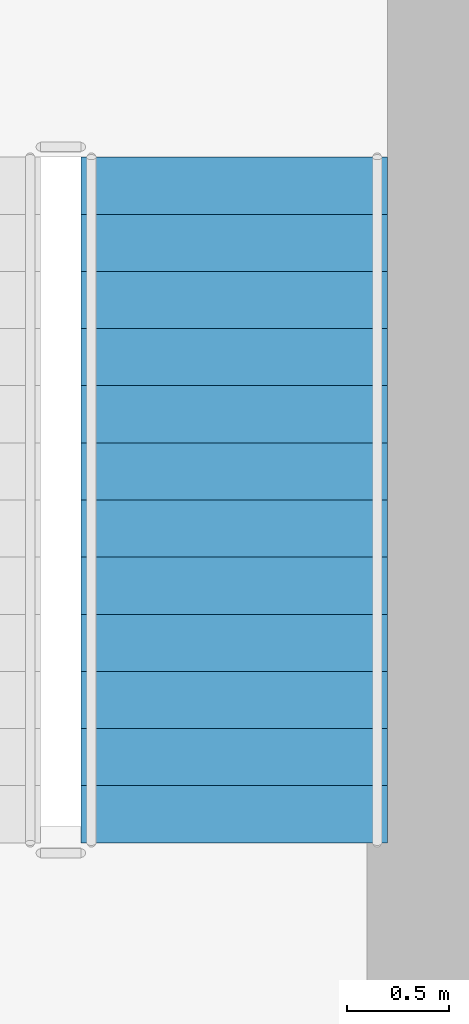
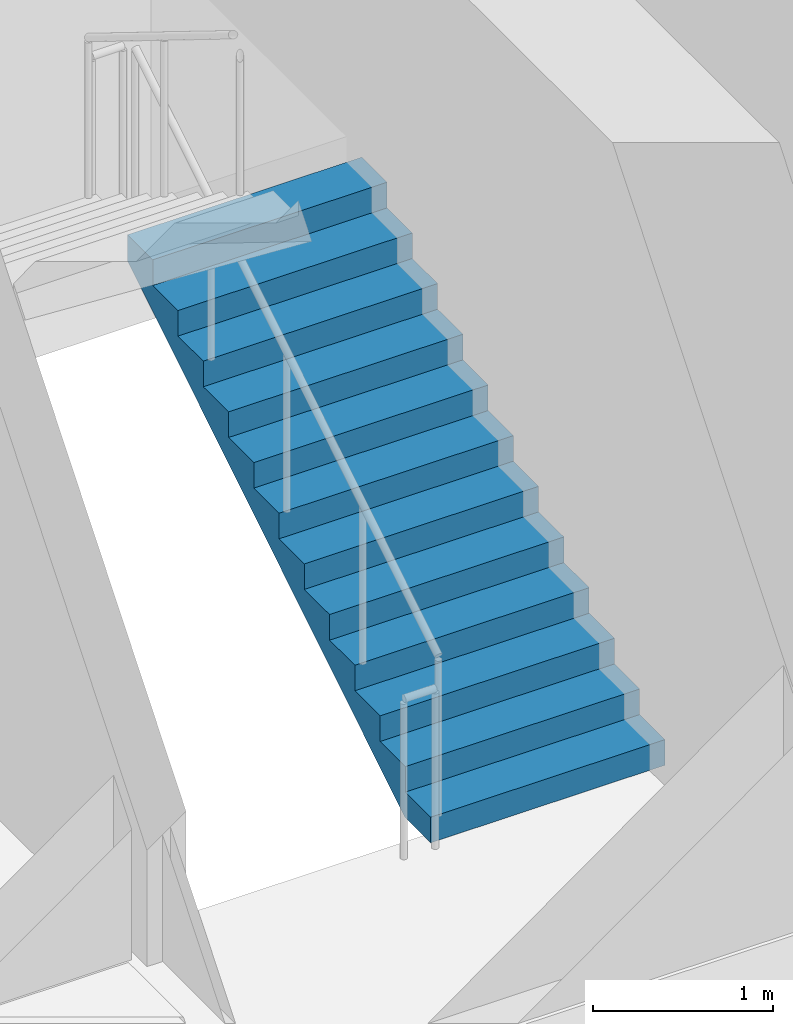
# One storey, part 9 of 15: 1 stair flight, 1 element without a shape of its own.
"""IFC4 building model written with IfcOpenShell, lengths in metres."""

import ifcopenshell
import ifcopenshell.guid

model = None  # the IFC model being written
_history = None  # IfcOwnerHistory: only IFC2X3 demands one
_inside = {}  # id of a spatial element -> (the spatial element, [elements in it])
_under = {}  # id of a project, library or spatial element -> (it, [spatial elements below it])
_declared = {}  # id of a project -> (the project, [libraries it declares])
_typed = {}  # id of a type object -> (the type object, [elements of that type])
_made_of = {}  # id of a material, layer set ... -> (it, [elements and type objects made of it])


def new_model(schema):
    """Start an empty IFC model of exactly this schema.

    Asked for "IFC4X3", IfcOpenShell would pick the latest addendum, in which some entities
    have other attributes; the version numbers below select the first issue.
    IFC2X3 requires an IfcOwnerHistory on every rooted entity: one is made here for all.
    """
    global model, _history
    if schema == "IFC4X3":
        model = ifcopenshell.file(schema_version=(4, 3, 0, 0))
    else:
        model = ifcopenshell.file(schema=schema)
    _inside.clear()
    _under.clear()
    _declared.clear()
    _typed.clear()
    _made_of.clear()
    _history = None
    if model.schema == "IFC2X3":
        org = make("IfcOrganization", Name="unknown")
        user = make(
            "IfcPersonAndOrganization",
            ThePerson=make("IfcPerson", FamilyName="unknown"),
            TheOrganization=org,
        )
        app = make(
            "IfcApplication",
            ApplicationDeveloper=org,
            Version="unknown",
            ApplicationFullName="unknown",
            ApplicationIdentifier="unknown",
        )
        _history = make(
            "IfcOwnerHistory",
            OwningUser=user,
            OwningApplication=app,
            ChangeAction="ADDED",
            CreationDate=0,
        )
    return model


def make(cls, **values):
    """One entity of the class cls with the attributes given. An attribute that is None is left unset."""
    return model.create_entity(
        cls, **{name: value for name, value in values.items() if value is not None}
    )


def rooted(cls, **values):
    """An entity with a GlobalId (a new one), such as an element, a storey or a relation."""
    return make(cls, GlobalId=ifcopenshell.guid.new(), OwnerHistory=_history, **values)


def si_unit(unit_type, name, prefix=None):
    """IfcSIUnit, for example si_unit("LENGTHUNIT", "METRE", prefix="MILLI")."""
    return make("IfcSIUnit", UnitType=unit_type, Prefix=prefix, Name=name)


def assignment(units):
    """IfcUnitAssignment: the units of a project."""
    return None if units is None else make("IfcUnitAssignment", Units=units)


def point(xyz):
    """IfcCartesianPoint."""
    return None if xyz is None else make("IfcCartesianPoint", Coordinates=xyz)


def direction(xyz):
    """IfcDirection."""
    return None if xyz is None else make("IfcDirection", DirectionRatios=xyz)


def frame(location, z_axis=None, x_axis=None):
    """IfcAxis2Placement3D, a coordinate frame: its origin and axes. An axis left out is left unset."""
    return make(
        "IfcAxis2Placement3D",
        Location=point(location),
        Axis=direction(z_axis),
        RefDirection=direction(x_axis),
    )


def origin():
    """The frame at (0, 0, 0) with its axes left unset."""
    return frame((0.0, 0.0, 0.0))


def place(relative_to, where):
    """IfcLocalPlacement: puts the frame where relative to a parent placement (None: the world)."""
    return make(
        "IfcLocalPlacement", PlacementRelTo=relative_to, RelativePlacement=where
    )


def context(
    kind, dimensions, precision=None, world=None, true_north=None, identifier=None
):
    """IfcGeometricRepresentationContext, for example the 3D "Model" context."""
    return make(
        "IfcGeometricRepresentationContext",
        ContextIdentifier=identifier,
        ContextType=kind,
        CoordinateSpaceDimension=dimensions,
        Precision=precision,
        WorldCoordinateSystem=world,
        TrueNorth=true_north,
    )


def subcontext(parent, identifier, kind, view, scale=None):
    """IfcGeometricRepresentationSubContext, for example "Body" below "Model"."""
    return make(
        "IfcGeometricRepresentationSubContext",
        ContextIdentifier=identifier,
        ContextType=kind,
        ParentContext=parent,
        TargetScale=scale,
        TargetView=view,
    )


def project(units=None, contexts=None):
    """IfcProject with its units and contexts."""
    return rooted(
        "IfcProject",
        Name="project",
        RepresentationContexts=contexts,
        UnitsInContext=assignment(units),
    )


def spatial(cls, under=None, at=None, **own):
    """A site, building, storey or space (cls), placed at a placement, below another one or the project."""
    s = rooted(cls, ObjectPlacement=at, **own)
    if under is not None:
        _under.setdefault(under.id(), (under, []))[1].append(s)
    return s


def polyline(points):
    """IfcPolyline through the points."""
    return make("IfcPolyline", Points=[point(p) for p in points])


def outline(outer, holes=None, kind="AREA"):
    """IfcArbitraryClosedProfileDef: a profile drawn as a closed curve; with holes, ...WithVoids."""
    if holes is None:
        return make("IfcArbitraryClosedProfileDef", ProfileType=kind, OuterCurve=outer)
    return make(
        "IfcArbitraryProfileDefWithVoids",
        ProfileType=kind,
        OuterCurve=outer,
        InnerCurves=holes,
    )


def extrude(swept, where, along, depth):
    """IfcExtrudedAreaSolid: the profile swept, set in the frame where, extruded along a direction by depth."""
    return make(
        "IfcExtrudedAreaSolid",
        SweptArea=swept,
        Position=where,
        ExtrudedDirection=direction(along),
        Depth=depth,
    )


def shape(context_of_items, identifier, shape_type, items):
    """IfcShapeRepresentation: the items that make up one representation, for example the "Body"."""
    return make(
        "IfcShapeRepresentation",
        ContextOfItems=context_of_items,
        RepresentationIdentifier=identifier,
        RepresentationType=shape_type,
        Items=items,
    )


def material(Name=None, Category=None):
    """IfcMaterial."""
    return make("IfcMaterial", Name=Name, Category=Category)


def made_of(thing, what):
    """Note that an element or type object is made of a material, layer set ...; save() writes the relation."""
    if what is not None:
        _made_of.setdefault(what.id(), (what, []))[1].append(thing)
    return thing


def type_object(cls, material=None, **own):
    """A type object (cls), such as IfcWallType, which elements share."""
    return made_of(rooted(cls, **own), material)


def element(
    cls,
    number,
    at=None,
    inside=None,
    cuts=None,
    type_object=None,
    material=None,
    context=None,
    identifier="Body",
    shape_type=None,
    held_by="IfcProductDefinitionShape",
    body=None,
    shapes=None,
    **own,
):
    """One element of the class cls, such as IfcWall. Its Tag is "e" and its number.

    at: its placement. inside: the storey or other place that contains it. cuts: it is an
    opening in that element (IfcRelVoidsElement). A single representation is given by context,
    identifier, shape_type and body (its items); several are given by shapes. held_by: the class
    of the entity that holds the representations. save() writes the other relations.
    """
    e = rooted(cls, Tag="e%d" % number, ObjectPlacement=at, **own)
    if body is not None:
        shapes = [shape(context, identifier, shape_type, body)]
    if shapes is not None:
        e.Representation = make(held_by, Representations=shapes)
    if inside is not None:
        _inside.setdefault(inside.id(), (inside, []))[1].append(e)
    if cuts is not None:
        rooted(
            "IfcRelVoidsElement", RelatingBuildingElement=cuts, RelatedOpeningElement=e
        )
    if type_object is not None:
        _typed.setdefault(type_object.id(), (type_object, []))[1].append(e)
    return made_of(e, material)


def aggregate(whole, parts):
    """IfcRelAggregates: a whole, such as a stair, and the parts it consists of."""
    return rooted("IfcRelAggregates", RelatingObject=whole, RelatedObjects=parts)


def save(model, path):
    """Write the relations noted so far, then the file.

    IfcRelAggregates (storeys below a building ...), IfcRelContainedInSpatialStructure (elements
    in a storey), IfcRelDefinesByType, IfcRelAssociatesMaterial and IfcRelDeclares: one each for
    every whole, place, type object, material and project.
    """
    for whole, parts in _under.values():
        aggregate(whole, parts)
    for where, things in _inside.values():
        rooted(
            "IfcRelContainedInSpatialStructure",
            RelatedElements=things,
            RelatingStructure=where,
        )
    for kind, things in _typed.values():
        rooted("IfcRelDefinesByType", RelatedObjects=things, RelatingType=kind)
    for what, things in _made_of.values():
        rooted("IfcRelAssociatesMaterial", RelatedObjects=things, RelatingMaterial=what)
    for by, libraries in _declared.values():
        rooted("IfcRelDeclares", RelatingContext=by, RelatedDefinitions=libraries)
    model.write(path)


model = new_model("IFC4")

# Units and contexts
model_context = context("Model", 3, precision=1e-05, world=origin(), true_north=direction((0.0, 1.0)))
body_context = subcontext(model_context, "Body", "Model", "MODEL_VIEW")
ifc_project = project(units=[si_unit("LENGTHUNIT", "METRE"), si_unit("AREAUNIT", "SQUARE_METRE"), si_unit("VOLUMEUNIT", "CUBIC_METRE"), si_unit("PLANEANGLEUNIT", "RADIAN"), si_unit("MASSUNIT", "GRAM", prefix="KILO")], contexts=[model_context])

# Site, building, storey
site_placement = place(None, origin())
site = spatial("IfcSite", under=ifc_project, at=site_placement, CompositionType="ELEMENT")
building_placement = place(site_placement, origin())
building = spatial("IfcBuilding", under=site, at=building_placement, Name="Kranthara Brick Stack", CompositionType="ELEMENT")
storey_placement = place(building_placement, frame((0.0, 0.0, 14.39990234375)))
storey = spatial("IfcBuildingStorey", under=building, at=storey_placement, Name="L03", CompositionType="ELEMENT", Elevation=14.39990234375)

# Stair, stair flight
ifc_material_1 = material(Name="Concrete C45/55", Category="concrete")
stair_type = type_object("IfcStairType", Name="ST-CORE-26R", PredefinedType="HALF_TURN_STAIR", material=ifc_material_1)
stair_placement = place(storey_placement, origin())
stair = element("IfcStair", 1, at=stair_placement, inside=storey, type_object=stair_type, Name="L03 East Core Protected Exit Stair ST02", PredefinedType="HALF_TURN_STAIR")
ifc_material_2 = material(Name="Concrete C45/55", Category="concrete")
stair_flight_type = type_object("IfcStairFlightType", Name="SFL-RC-26R", PredefinedType="STRAIGHT", material=ifc_material_2)
stair_flight_placement = place(storey_placement, frame((42.14990234375, 25.199951171875, 0.0), z_axis=(0.0, 0.0, 1.0), x_axis=(0.0, 1.0, 0.0)))
stair_flight = element("IfcStairFlight", 2, at=stair_flight_placement, type_object=stair_flight_type, Name="ST02 flight 1", NumberOfRisers=13, NumberOfTreads=12, PredefinedType="STRAIGHT", RiserHeight=0.173076923, TreadLength=0.28, context=body_context, shape_type="SweptSolid", body=[
    extrude(outline(polyline([(0.0, 0.0), (0.0, 0.173095703125), (0.280029296875, 0.173095703125), (0.280029296875, 0.34619140625), (0.56005859375, 0.34619140625), (0.56005859375, 0.519287109375), (0.840087890625, 0.519287109375), (0.840087890625, 0.6923828125), (1.1201171875, 0.6923828125), (1.1201171875, 0.865478515625), (1.39990234375, 0.865478515625), (1.39990234375, 1.03857421875), (1.679931640625, 1.03857421875), (1.679931640625, 1.21142578125), (1.9599609375, 1.21142578125), (1.9599609375, 1.384521484375), (2.239990234375, 1.384521484375), (2.239990234375, 1.5576171875), (2.52001953125, 1.5576171875), (2.52001953125, 1.730712890625), (2.800048828125, 1.730712890625), (2.800048828125, 1.90380859375), (3.080078125, 1.90380859375), (3.080078125, 2.076904296875), (3.360107421875, 2.076904296875), (3.360107421875, 2.25), (3.360107421875, 1.900634765625), (0.28515625, 0.0), (0.0, 0.0)])), frame((0.0, 0.75, 0.0), z_axis=(0.0, -1.0, 0.0), x_axis=(1.0, 0.0, 0.0)), (0.0, 0.0, 1.0), 1.5),
])
aggregate(stair, [stair_flight])

save(model, "model.ifc")
